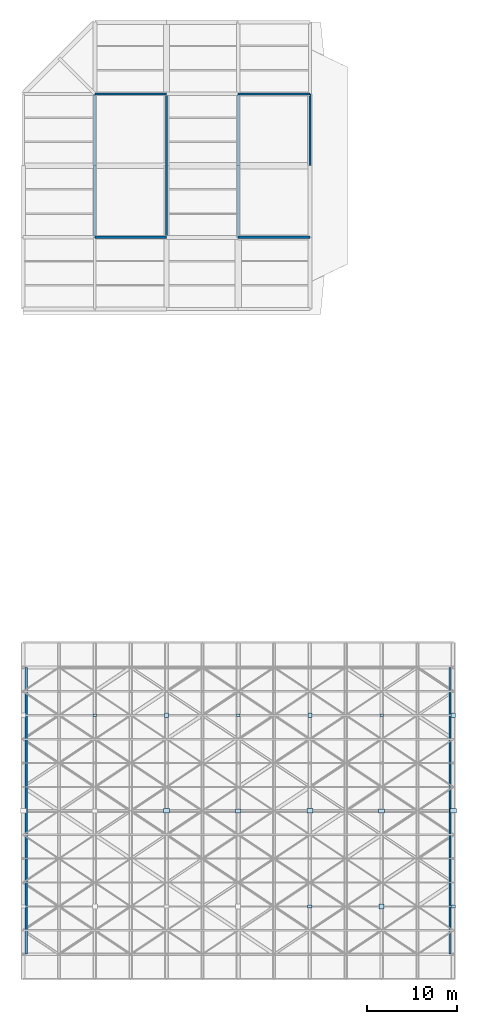
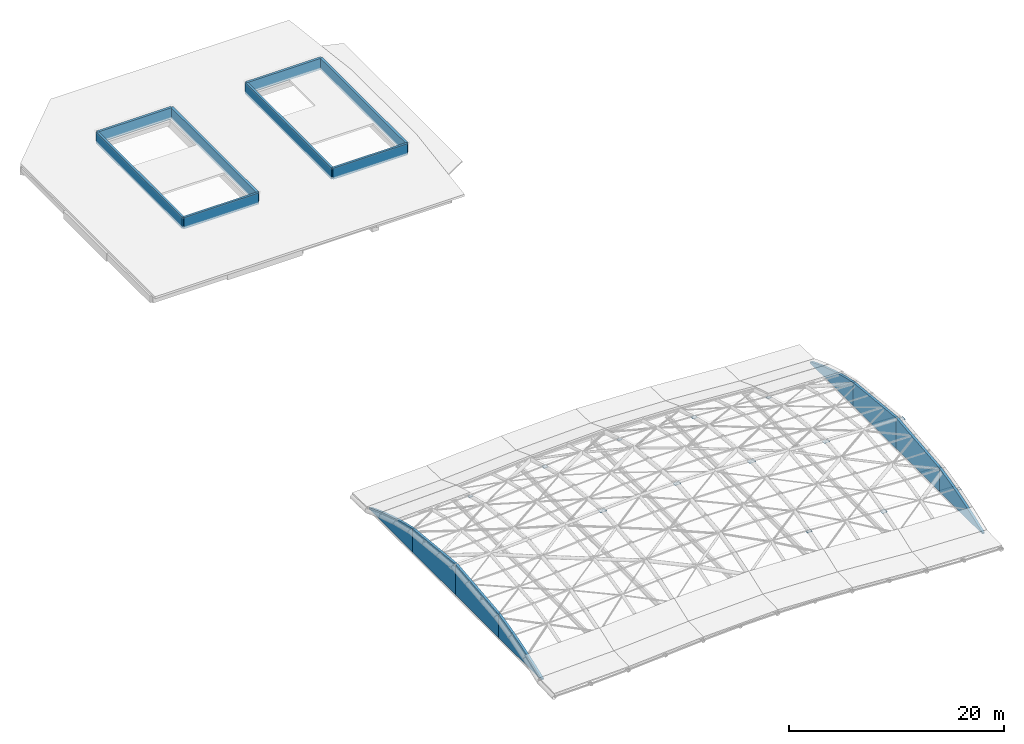
# One storey, part 20 of 20: 16 walls, 14 plates.
"""IFC4 building model written with IfcOpenShell, lengths in metres."""

from ifc_helpers import new_model, si_unit, direction, frame, frame_2d, origin, origin_2d, place, context, subcontext, project, spatial, polyline, rectangle, outline, extrude, material, layer, layer_set, type_object, element, save


model = new_model("IFC4")

# Units and contexts
model_context = context("Model", 3, precision=1e-05, world=origin(), true_north=direction((0.0, 1.0)))
body_context = subcontext(model_context, "Body", "Model", "MODEL_VIEW")
ifc_project = project(units=[si_unit("LENGTHUNIT", "METRE"), si_unit("AREAUNIT", "SQUARE_METRE"), si_unit("VOLUMEUNIT", "CUBIC_METRE"), si_unit("PLANEANGLEUNIT", "RADIAN"), si_unit("MASSUNIT", "GRAM", prefix="KILO")], contexts=[model_context])

# Site, building, storey
site_placement = place(None, origin())
site = spatial("IfcSite", under=ifc_project, at=site_placement, CompositionType="ELEMENT")
building_placement = place(site_placement, origin())
building = spatial("IfcBuilding", under=site, at=building_placement, Name="Tenunan Teduh Sports Hall", CompositionType="ELEMENT")
storey_placement = place(building_placement, frame((0.0, 0.0, 23.39990234375)))
storey = spatial("IfcBuildingStorey", under=building, at=storey_placement, Name="RF", CompositionType="ELEMENT", Elevation=23.39990234375)

# Plates
ifc_material_1 = material(Name="Steel S355", Category="steel")
ifc_layer_1 = layer(ifc_material_1, 0.02001953125)
ifc_layer_set_1 = layer_set([ifc_layer_1], Name="Steel S355")
plate_type_1 = type_object("IfcPlateType", Name="PLT-GUS-1", PredefinedType="SHEET", material=ifc_layer_set_1)
for number, where, z_axis, x_axis, name in (
    (1, (22.0, 40.666748046875, 2.266357421875), (0.0, 0.0, 1.0), (1.0, 0.0, 0.0), "PLT-RF-030"),
    (2, (38.0, 40.666748046875, 2.266357421875), (0.0, 0.0, 1.0), (1.0, 0.0, 0.0), "PLT-RF-036"),
    (3, (54.0, 40.666748046875, 1.442138671875), (0.0, 0.0, 1.0), (1.0, 0.0, 0.0), "PLT-RF-042"),
):
    element("IfcPlate", number, at=place(storey_placement, frame(where, z_axis=z_axis, x_axis=x_axis)), inside=storey, type_object=plate_type_1, Name=name, PredefinedType="SHEET", context=body_context, shape_type="SweptSolid", body=[
        extrude(rectangle(XDim=0.47998046875, YDim=0.47998046875, at=origin_2d()), origin(), (0.0, 0.0, 1.0), 0.02001953125),
    ])
ifc_material_2 = material(Name="Steel S355", Category="steel")
ifc_layer_2 = layer(ifc_material_2, 0.02392578125)
ifc_layer_set_2 = layer_set([ifc_layer_2], Name="Steel S355")
plate_type_2 = type_object("IfcPlateType", Name="PLT-GUS-2", PredefinedType="SHEET", material=ifc_layer_set_2)
plate_placement = place(storey_placement, frame((46.0, 19.333251953125, 1.713623046875), z_axis=(0.0, 0.0, 1.0), x_axis=(1.0, 0.0, 0.0)))
element("IfcPlate", 4, at=plate_placement, inside=storey, type_object=plate_type_2, Name="PLT-RF-037", PredefinedType="SHEET", context=body_context, shape_type="SweptSolid", body=[
    extrude(rectangle(XDim=0.56005859375, YDim=0.56005859375, at=origin_2d()), origin(), (0.0, 0.0, 1.0), 0.02392578125),
])
ifc_material_3 = material(Name="Steel S355", Category="steel")
ifc_layer_3 = layer(ifc_material_3, 0.02197265625)
ifc_layer_set_3 = layer_set([ifc_layer_3], Name="Steel S355")
plate_type_3 = type_object("IfcPlateType", Name="PLT-GUS-3", PredefinedType="SHEET", material=ifc_layer_set_3)
for number, where, z_axis, x_axis, name in (
    (5, (30.0, 30.0, 4.011474609375), (0.0, 0.0, 1.0), (1.0, 0.0, 0.0), "PLT-RF-032"),
    (6, (46.0, 30.0, 3.183349609375), (0.0, 0.0, 1.0), (1.0, 0.0, 0.0), "PLT-RF-038"),
):
    element("IfcPlate", number, at=place(storey_placement, frame(where, z_axis=z_axis, x_axis=x_axis)), inside=storey, type_object=plate_type_3, Name=name, PredefinedType="SHEET", context=body_context, shape_type="SweptSolid", body=[
        extrude(rectangle(XDim=0.639892578125, YDim=0.43994140625, at=origin_2d()), origin(), (0.0, 0.0, 1.0), 0.02197265625),
    ])
ifc_material_4 = material(Name="Steel S355", Category="steel")
ifc_layer_4 = layer(ifc_material_4, 0.01611328125)
ifc_layer_set_4 = layer_set([ifc_layer_4], Name="Steel S355")
plate_type_4 = type_object("IfcPlateType", Name="PLT-GUS-4", PredefinedType="SHEET", material=ifc_layer_set_4)
for number, where, z_axis, x_axis, name in (
    (7, (14.0, 40.666748046875, 1.717529296875), (0.0, 0.0, 1.0), (1.0, 0.0, 0.0), "PLT-RF-027"),
    (8, (30.0, 40.666748046875, 2.545654296875), (0.0, 0.0, 1.0), (1.0, 0.0, 0.0), "PLT-RF-033"),
    (9, (46.0, 40.666748046875, 1.717529296875), (0.0, 0.0, 1.0), (1.0, 0.0, 0.0), "PLT-RF-039"),
):
    element("IfcPlate", number, at=place(storey_placement, frame(where, z_axis=z_axis, x_axis=x_axis)), inside=storey, type_object=plate_type_4, Name=name, PredefinedType="SHEET", context=body_context, shape_type="SweptSolid", body=[
        extrude(rectangle(XDim=0.39990234375, YDim=0.320068359375, at=origin_2d()), origin(), (0.0, 0.0, 1.0), 0.01611328125),
    ])
ifc_material_5 = material(Name="Steel S355", Category="steel")
ifc_layer_5 = layer(ifc_material_5, 0.01806640625)
ifc_layer_set_5 = layer_set([ifc_layer_5], Name="Steel S355")
plate_type_5 = type_object("IfcPlateType", Name="PLT-GUS-5", PredefinedType="SHEET", material=ifc_layer_set_5)
for number, where, z_axis, x_axis, name in (
    (10, (38.0, 19.333251953125, 2.267333984375), (0.0, 0.0, 1.0), (1.0, 0.0, 0.0), "PLT-RF-034"),
    (11, (54.0, 19.333251953125, 1.443115234375), (0.0, 0.0, 1.0), (1.0, 0.0, 0.0), "PLT-RF-040"),
):
    element("IfcPlate", number, at=place(storey_placement, frame(where, z_axis=z_axis, x_axis=x_axis)), inside=storey, type_object=plate_type_5, Name=name, PredefinedType="SHEET", context=body_context, shape_type="SweptSolid", body=[
        extrude(rectangle(XDim=0.52001953125, YDim=0.360107421875, at=origin_2d()), origin(), (0.0, 0.0, 1.0), 0.01806640625),
    ])
ifc_material_6 = material(Name="Steel S355", Category="steel")
ifc_layer_6 = layer(ifc_material_6, 0.028076171875)
ifc_layer_set_6 = layer_set([ifc_layer_6], Name="Steel S355")
plate_type_6 = type_object("IfcPlateType", Name="PLT-GUS-6", PredefinedType="SHEET", material=ifc_layer_set_6)
for number, where, z_axis, x_axis, name in (
    (12, (22.0, 30.0, 3.73095703125), (0.0, 0.0, 1.0), (1.0, 0.0, 0.0), "PLT-RF-029"),
    (13, (38.0, 30.0, 3.73095703125), (0.0, 0.0, 1.0), (1.0, 0.0, 0.0), "PLT-RF-035"),
    (14, (54.0, 30.0, 2.90673828125), (0.0, 0.0, 1.0), (1.0, 0.0, 0.0), "PLT-RF-041"),
):
    element("IfcPlate", number, at=place(storey_placement, frame(where, z_axis=z_axis, x_axis=x_axis)), inside=storey, type_object=plate_type_6, Name=name, PredefinedType="SHEET", context=body_context, shape_type="SweptSolid", body=[
        extrude(rectangle(XDim=0.699951171875, YDim=0.5, at=origin_2d()), origin(), (0.0, 0.0, 1.0), 0.028076171875),
    ])

# Walls
ifc_material_7 = material(Name="Precast concrete C40/50", Category="concrete")
ifc_layer_7 = layer(ifc_material_7, 0.25)
ifc_layer_set_7 = layer_set([ifc_layer_7], Name="Precast concrete C40/50")
wall_type = type_object("IfcWallType", Name="WL-EXT-250", PredefinedType="SOLIDWALL", material=ifc_layer_set_7)
wall_1_placement = place(storey_placement, frame((6.353515625, 14.0, -0.27001953125), z_axis=(0.0, 0.0, 1.0), x_axis=(0.0, 1.0, 0.0)))
element("IfcWall", 15, at=wall_1_placement, inside=storey, type_object=wall_type, Name="WL-EXT-RF-110", PredefinedType="SOLIDWALL", context=body_context, shape_type="SweptSolid", body=[
    extrude(outline(polyline([(0.0, 0.0), (8.0, 0.0), (8.0, 2.647216796875), (6.6669921875, 2.34619140625), (5.3330078125, 2.002197265625), (4.0, 1.615234375), (2.6669921875, 1.17822265625), (1.3330078125, 0.697021484375), (0.0, 0.170166015625), (0.0, 0.0)])), frame((0.0, 0.125, 0.0), z_axis=(0.0, -1.0, 0.0), x_axis=(1.0, 0.0, 0.0)), (0.0, 0.0, 1.0), 0.25),
])
wall_2_placement = place(storey_placement, frame((6.353515625, 22.0, -0.27001953125), z_axis=(0.0, 0.0, 1.0), x_axis=(0.0, 1.0, 0.0)))
element("IfcWall", 16, at=wall_2_placement, inside=storey, type_object=wall_type, Name="WL-EXT-RF-111", PredefinedType="SOLIDWALL", context=body_context, shape_type="SweptSolid", body=[
    extrude(outline(polyline([(0.0, 0.0), (8.0, 0.0), (8.0, 3.47119140625), (6.6669921875, 3.334228515625), (5.3330078125, 3.193115234375), (4.0, 3.05712890625), (2.6669921875, 2.920166015625), (1.3330078125, 2.783203125), (0.0, 2.647216796875), (0.0, 0.0)])), frame((0.0, 0.125, 0.0), z_axis=(0.0, -1.0, 0.0), x_axis=(1.0, 0.0, 0.0)), (0.0, 0.0, 1.0), 0.25),
])
wall_3_placement = place(storey_placement, frame((6.353515625, 30.0, -0.27001953125), z_axis=(0.0, 0.0, 1.0), x_axis=(0.0, 1.0, 0.0)))
element("IfcWall", 17, at=wall_3_placement, inside=storey, type_object=wall_type, Name="WL-EXT-RF-112", PredefinedType="SOLIDWALL", context=body_context, shape_type="SweptSolid", body=[
    extrude(outline(polyline([(0.0, 0.0), (8.0, 0.0), (8.0, 2.647216796875), (6.6669921875, 2.783203125), (5.3330078125, 2.920166015625), (4.0, 3.05712890625), (2.6669921875, 3.193115234375), (1.3330078125, 3.334228515625), (0.0, 3.47119140625), (0.0, 0.0)])), frame((0.0, 0.125, 0.0), z_axis=(0.0, -1.0, 0.0), x_axis=(1.0, 0.0, 0.0)), (0.0, 0.0, 1.0), 0.25),
])
wall_4_placement = place(storey_placement, frame((6.353515625, 38.0, -0.27001953125), z_axis=(0.0, 0.0, 1.0), x_axis=(0.0, 1.0, 0.0)))
element("IfcWall", 18, at=wall_4_placement, inside=storey, type_object=wall_type, Name="WL-EXT-RF-113", PredefinedType="SOLIDWALL", context=body_context, shape_type="SweptSolid", body=[
    extrude(outline(polyline([(0.0, 0.0), (8.0, 0.0), (8.0, 0.170166015625), (6.6669921875, 0.697021484375), (5.3330078125, 1.17822265625), (4.0, 1.615234375), (2.6669921875, 2.002197265625), (1.3330078125, 2.34619140625), (0.0, 2.647216796875), (0.0, 0.0)])), frame((0.0, 0.125, 0.0), z_axis=(0.0, -1.0, 0.0), x_axis=(1.0, 0.0, 0.0)), (0.0, 0.0, 1.0), 0.25),
])
wall_5_placement = place(storey_placement, frame((53.646484375, 14.0, -0.27001953125), z_axis=(0.0, 0.0, 1.0), x_axis=(0.0, 1.0, 0.0)))
element("IfcWall", 19, at=wall_5_placement, inside=storey, type_object=wall_type, Name="WL-EXT-RF-114", PredefinedType="SOLIDWALL", context=body_context, shape_type="SweptSolid", body=[
    extrude(outline(polyline([(0.0, 0.0), (8.0, 0.0), (8.0, 2.647216796875), (6.6669921875, 2.34619140625), (5.3330078125, 2.002197265625), (4.0, 1.615234375), (2.6669921875, 1.17822265625), (1.3330078125, 0.697021484375), (0.0, 0.170166015625), (0.0, 0.0)])), frame((0.0, 0.125, 0.0), z_axis=(0.0, -1.0, 0.0), x_axis=(1.0, 0.0, 0.0)), (0.0, 0.0, 1.0), 0.25),
])
wall_6_placement = place(storey_placement, frame((53.646484375, 22.0, -0.27001953125), z_axis=(0.0, 0.0, 1.0), x_axis=(0.0, 1.0, 0.0)))
element("IfcWall", 20, at=wall_6_placement, inside=storey, type_object=wall_type, Name="WL-EXT-RF-115", PredefinedType="SOLIDWALL", context=body_context, shape_type="SweptSolid", body=[
    extrude(outline(polyline([(0.0, 0.0), (8.0, 0.0), (8.0, 3.47119140625), (6.6669921875, 3.334228515625), (5.3330078125, 3.193115234375), (4.0, 3.05712890625), (2.6669921875, 2.920166015625), (1.3330078125, 2.783203125), (0.0, 2.647216796875), (0.0, 0.0)])), frame((0.0, 0.125, 0.0), z_axis=(0.0, -1.0, 0.0), x_axis=(1.0, 0.0, 0.0)), (0.0, 0.0, 1.0), 0.25),
])
wall_7_placement = place(storey_placement, frame((53.646484375, 30.0, -0.27001953125), z_axis=(0.0, 0.0, 1.0), x_axis=(0.0, 1.0, 0.0)))
element("IfcWall", 21, at=wall_7_placement, inside=storey, type_object=wall_type, Name="WL-EXT-RF-116", PredefinedType="SOLIDWALL", context=body_context, shape_type="SweptSolid", body=[
    extrude(outline(polyline([(0.0, 0.0), (8.0, 0.0), (8.0, 2.647216796875), (6.6669921875, 2.783203125), (5.3330078125, 2.920166015625), (4.0, 3.05712890625), (2.6669921875, 3.193115234375), (1.3330078125, 3.334228515625), (0.0, 3.47119140625), (0.0, 0.0)])), frame((0.0, 0.125, 0.0), z_axis=(0.0, -1.0, 0.0), x_axis=(1.0, 0.0, 0.0)), (0.0, 0.0, 1.0), 0.25),
])
wall_8_placement = place(storey_placement, frame((53.646484375, 38.0, -0.27001953125), z_axis=(0.0, 0.0, 1.0), x_axis=(0.0, 1.0, 0.0)))
element("IfcWall", 22, at=wall_8_placement, inside=storey, type_object=wall_type, Name="WL-EXT-RF-117", PredefinedType="SOLIDWALL", context=body_context, shape_type="SweptSolid", body=[
    extrude(outline(polyline([(0.0, 0.0), (8.0, 0.0), (8.0, 0.170166015625), (6.6669921875, 0.697021484375), (5.3330078125, 1.17822265625), (4.0, 1.615234375), (2.6669921875, 2.002197265625), (1.3330078125, 2.34619140625), (0.0, 2.647216796875), (0.0, 0.0)])), frame((0.0, 0.125, 0.0), z_axis=(0.0, -1.0, 0.0), x_axis=(1.0, 0.0, 0.0)), (0.0, 0.0, 1.0), 0.25),
])
wall_9_placement = place(storey_placement, frame((14.0, 94.0, -0.25), z_axis=(0.0, 0.0, 1.0), x_axis=(1.0, 0.0, 0.0)))
element("IfcWall", 23, at=wall_9_placement, inside=storey, type_object=wall_type, Name="WL-EXT-RF-238", PredefinedType="SOLIDWALL", context=body_context, shape_type="SweptSolid", body=[
    extrude(rectangle(XDim=8.0, YDim=0.25, at=frame_2d((4.0, 0.0))), origin(), (0.0, 0.0, 1.0), 1.280029296875),
])
wall_10_placement = place(storey_placement, frame((22.0, 94.0, -0.25), z_axis=(0.0, 0.0, 1.0), x_axis=(0.0, 1.0, 0.0)))
element("IfcWall", 24, at=wall_10_placement, inside=storey, type_object=wall_type, Name="WL-EXT-RF-239", PredefinedType="SOLIDWALL", context=body_context, shape_type="SweptSolid", body=[
    extrude(rectangle(XDim=16.0, YDim=0.25, at=frame_2d((8.0, 0.0))), origin(), (0.0, 0.0, 1.0), 1.280029296875),
])
wall_11_placement = place(storey_placement, frame((22.0, 110.0, -0.25), z_axis=(0.0, 0.0, 1.0), x_axis=(-1.0, 0.0, 0.0)))
element("IfcWall", 25, at=wall_11_placement, inside=storey, type_object=wall_type, Name="WL-EXT-RF-240", PredefinedType="SOLIDWALL", context=body_context, shape_type="SweptSolid", body=[
    extrude(rectangle(XDim=8.0, YDim=0.25, at=frame_2d((4.0, 0.0))), origin(), (0.0, 0.0, 1.0), 1.280029296875),
])
wall_12_placement = place(storey_placement, frame((14.0, 110.0, -0.25), z_axis=(0.0, 0.0, 1.0), x_axis=(0.0, -1.0, 0.0)))
element("IfcWall", 26, at=wall_12_placement, inside=storey, type_object=wall_type, Name="WL-EXT-RF-241", PredefinedType="SOLIDWALL", context=body_context, shape_type="SweptSolid", body=[
    extrude(rectangle(XDim=16.0, YDim=0.25, at=frame_2d((8.0, 0.0))), origin(), (0.0, 0.0, 1.0), 1.280029296875),
])
wall_13_placement = place(storey_placement, frame((30.0, 94.0, -0.25), z_axis=(0.0, 0.0, 1.0), x_axis=(1.0, 0.0, 0.0)))
element("IfcWall", 27, at=wall_13_placement, inside=storey, type_object=wall_type, Name="WL-EXT-RF-242", PredefinedType="SOLIDWALL", context=body_context, shape_type="SweptSolid", body=[
    extrude(rectangle(XDim=8.0, YDim=0.25, at=frame_2d((4.0, 0.0))), origin(), (0.0, 0.0, 1.0), 1.280029296875),
])
wall_14_placement = place(storey_placement, frame((38.0, 94.0, -0.25), z_axis=(0.0, 0.0, 1.0), x_axis=(0.0, 1.0, 0.0)))
element("IfcWall", 28, at=wall_14_placement, inside=storey, type_object=wall_type, Name="WL-EXT-RF-243", PredefinedType="SOLIDWALL", context=body_context, shape_type="SweptSolid", body=[
    extrude(rectangle(XDim=16.0, YDim=0.25, at=frame_2d((8.0, 0.0))), origin(), (0.0, 0.0, 1.0), 1.280029296875),
])
wall_15_placement = place(storey_placement, frame((38.0, 110.0, -0.25), z_axis=(0.0, 0.0, 1.0), x_axis=(-1.0, 0.0, 0.0)))
element("IfcWall", 29, at=wall_15_placement, inside=storey, type_object=wall_type, Name="WL-EXT-RF-244", PredefinedType="SOLIDWALL", context=body_context, shape_type="SweptSolid", body=[
    extrude(rectangle(XDim=8.0, YDim=0.25, at=frame_2d((4.0, 0.0))), origin(), (0.0, 0.0, 1.0), 1.280029296875),
])
wall_16_placement = place(storey_placement, frame((30.0, 110.0, -0.25), z_axis=(0.0, 0.0, 1.0), x_axis=(0.0, -1.0, 0.0)))
element("IfcWall", 30, at=wall_16_placement, inside=storey, type_object=wall_type, Name="WL-EXT-RF-245", PredefinedType="SOLIDWALL", context=body_context, shape_type="SweptSolid", body=[
    extrude(rectangle(XDim=16.0, YDim=0.25, at=frame_2d((8.0, 0.0))), origin(), (0.0, 0.0, 1.0), 1.280029296875),
])

save(model, "model.ifc")
